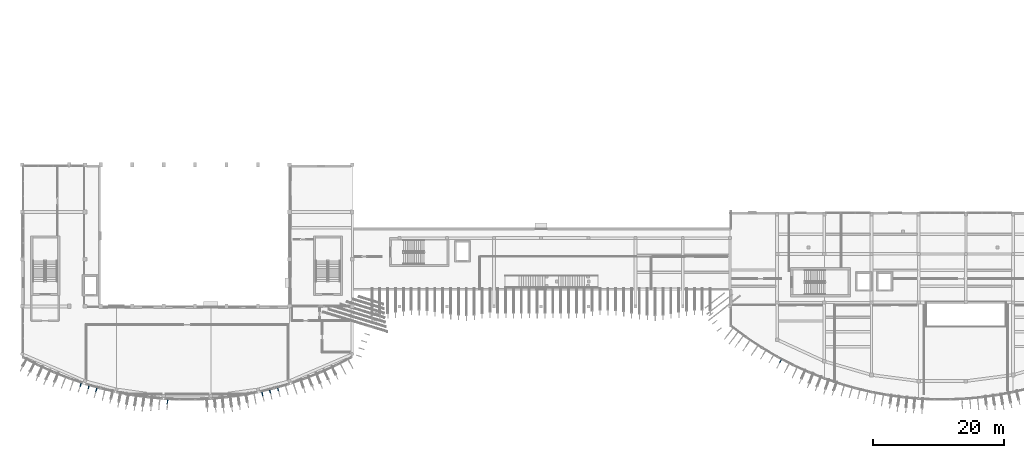
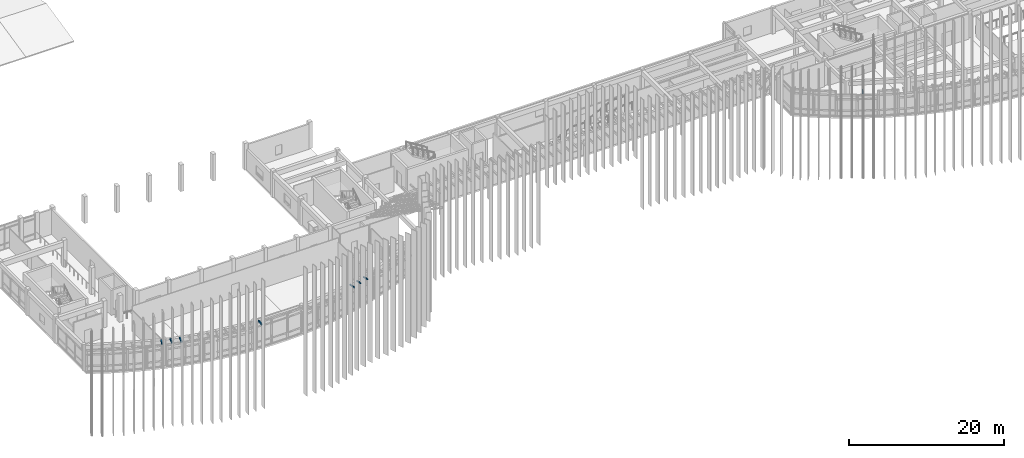
# One storey, part 38 of 47: 8 discrete accessories.
"""IFC4 building model written with IfcOpenShell, lengths in metres."""

from ifc_helpers import new_model, si_unit, direction, frame, origin, origin_2d, place, context, subcontext, project, spatial, rectangle, extrude, material, type_object, element, save


model = new_model("IFC4")

# Units and contexts
model_context = context("Model", 3, precision=1e-05, world=origin(), true_north=direction((0.0, 1.0)))
body_context = subcontext(model_context, "Body", "Model", "MODEL_VIEW")
ifc_project = project(units=[si_unit("LENGTHUNIT", "METRE"), si_unit("AREAUNIT", "SQUARE_METRE"), si_unit("VOLUMEUNIT", "CUBIC_METRE"), si_unit("PLANEANGLEUNIT", "RADIAN"), si_unit("MASSUNIT", "GRAM", prefix="KILO")], contexts=[model_context])

# Site, building, storey
site_placement = place(None, origin())
site = spatial("IfcSite", under=ifc_project, at=site_placement, CompositionType="ELEMENT")
building_placement = place(site_placement, origin())
building = spatial("IfcBuilding", under=site, at=building_placement, Name="Brisavento Harbour Community Centre", CompositionType="ELEMENT")
storey_placement = place(building_placement, frame((0.0, 0.0, 8.699951171875)))
storey = spatial("IfcBuildingStorey", under=building, at=storey_placement, Name="L02", CompositionType="ELEMENT", Elevation=8.699951171875)

# Discrete accessories
ifc_material = material(Name="Stainless steel 1.4401", Category="steel")
discrete_accessory_type = type_object("IfcDiscreteAccessoryType", Name="BRK-FIN-SS", PredefinedType="BRACKET", material=ifc_material)
discrete_accessory_1_placement = place(storey_placement, frame((8.96484375, 2.4970703125, 3.97998046875), z_axis=(0.0, 0.0, 1.0), x_axis=(-0.323174264667, -0.94633947115, 0.0)))
element("IfcDiscreteAccessory", 1, at=discrete_accessory_1_placement, inside=storey, type_object=discrete_accessory_type, Name="Stainless-steel storm-fin bracket 008.4", PredefinedType="BRACKET", context=body_context, shape_type="SweptSolid", body=[
    extrude(rectangle(XDim=0.817626953125, YDim=0.139892578125, at=origin_2d()), origin(), (0.0, 0.0, 1.0), 0.199951171875),
])
discrete_accessory_2_placement = place(storey_placement, frame((10.174560546875, 2.134033203125, 3.97998046875), z_axis=(0.0, 0.0, 1.0), x_axis=(-0.276996031628, -0.96087106235, 0.0)))
element("IfcDiscreteAccessory", 2, at=discrete_accessory_2_placement, inside=storey, type_object=discrete_accessory_type, Name="Stainless-steel storm-fin bracket 009.4", PredefinedType="BRACKET", context=body_context, shape_type="SweptSolid", body=[
    extrude(rectangle(XDim=0.783203125, YDim=0.139892578125, at=origin_2d()), origin(), (0.0, 0.0, 1.0), 0.199951171875),
])
discrete_accessory_3_placement = place(storey_placement, frame((11.3623046875, 1.74560546875, 3.97998046875), z_axis=(0.0, 0.0, 1.0), x_axis=(-0.276996031628, -0.96087106235, 0.0)))
element("IfcDiscreteAccessory", 3, at=discrete_accessory_3_placement, inside=storey, type_object=discrete_accessory_type, Name="Stainless-steel storm-fin bracket 010.4", PredefinedType="BRACKET", context=body_context, shape_type="SweptSolid", body=[
    extrude(rectangle(XDim=0.8720703125, YDim=0.139892578125, at=origin_2d()), origin(), (0.0, 0.0, 1.0), 0.199951171875),
])
discrete_accessory_4_placement = place(storey_placement, frame((22.192626953125, -0.0615234375, 3.97998046875), z_axis=(0.0, 0.0, 1.0), x_axis=(-0.0461649984, -0.9989338281, 0.0)))
element("IfcDiscreteAccessory", 4, at=discrete_accessory_4_placement, inside=storey, type_object=discrete_accessory_type, Name="Stainless-steel storm-fin bracket 019.4", PredefinedType="BRACKET", context=body_context, shape_type="SweptSolid", body=[
    extrude(rectangle(XDim=0.917236328125, YDim=0.139892578125, at=origin_2d()), origin(), (0.0, 0.0, 1.0), 0.199951171875),
])
discrete_accessory_5_placement = place(storey_placement, frame((36.63525390625, 1.128173828125, 3.97998046875), z_axis=(0.0, 0.0, 1.0), x_axis=(0.230830981037, -0.972993863389, 0.0)))
element("IfcDiscreteAccessory", 5, at=discrete_accessory_5_placement, inside=storey, type_object=discrete_accessory_type, Name="Stainless-steel storm-fin bracket 027.4", PredefinedType="BRACKET", context=body_context, shape_type="SweptSolid", body=[
    extrude(rectangle(XDim=0.904541015625, YDim=0.139892578125, at=origin_2d()), origin(), (0.0, 0.0, 1.0), 0.199951171875),
])
discrete_accessory_6_placement = place(storey_placement, frame((37.822265625, 1.467041015625, 3.97998046875), z_axis=(0.0, 0.0, 1.0), x_axis=(0.230830981037, -0.972993863389, 0.0)))
element("IfcDiscreteAccessory", 6, at=discrete_accessory_6_placement, inside=storey, type_object=discrete_accessory_type, Name="Stainless-steel storm-fin bracket 028.4", PredefinedType="BRACKET", context=body_context, shape_type="SweptSolid", body=[
    extrude(rectangle(XDim=0.79296875, YDim=0.139892578125, at=origin_2d()), origin(), (0.0, 0.0, 1.0), 0.199951171875),
])
discrete_accessory_7_placement = place(storey_placement, frame((39.02734375, 1.781005859375, 3.97998046875), z_axis=(0.0, 0.0, 1.0), x_axis=(0.276996031628, -0.96087106235, 0.0)))
element("IfcDiscreteAccessory", 7, at=discrete_accessory_7_placement, inside=storey, type_object=discrete_accessory_type, Name="Stainless-steel storm-fin bracket 029.4", PredefinedType="BRACKET", context=body_context, shape_type="SweptSolid", body=[
    extrude(rectangle(XDim=0.79833984375, YDim=0.139892578125, at=origin_2d()), origin(), (0.0, 0.0, 1.0), 0.199951171875),
])
discrete_accessory_8_placement = place(storey_placement, frame((115.7509765625, 6.107666015625, 3.97998046875), z_axis=(0.0, 0.0, 1.0), x_axis=(-0.461702168823, -0.887035009063, 0.0)))
element("IfcDiscreteAccessory", 8, at=discrete_accessory_8_placement, inside=storey, type_object=discrete_accessory_type, Name="Stainless-steel storm-fin bracket 100.4", PredefinedType="BRACKET", context=body_context, shape_type="SweptSolid", body=[
    extrude(rectangle(XDim=0.812255859375, YDim=0.139892578125, at=origin_2d()), origin(), (0.0, 0.0, 1.0), 0.199951171875),
])

save(model, "model.ifc")
